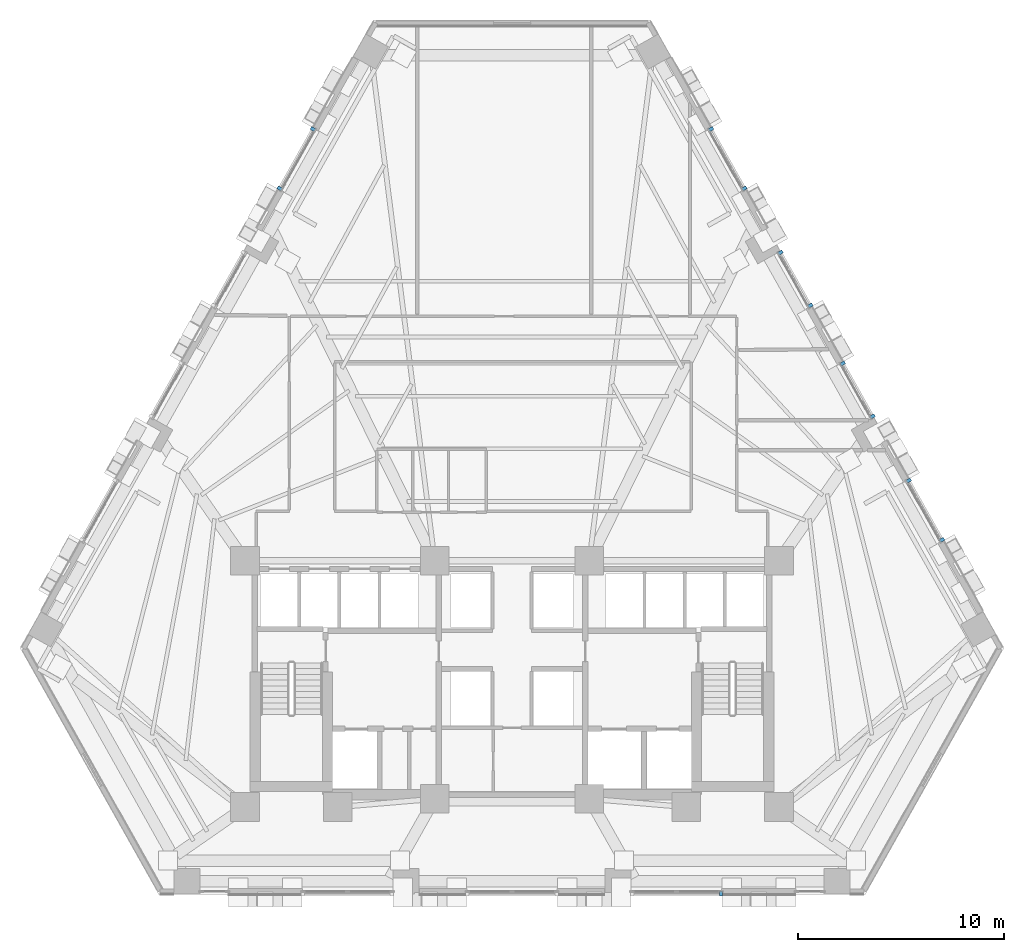
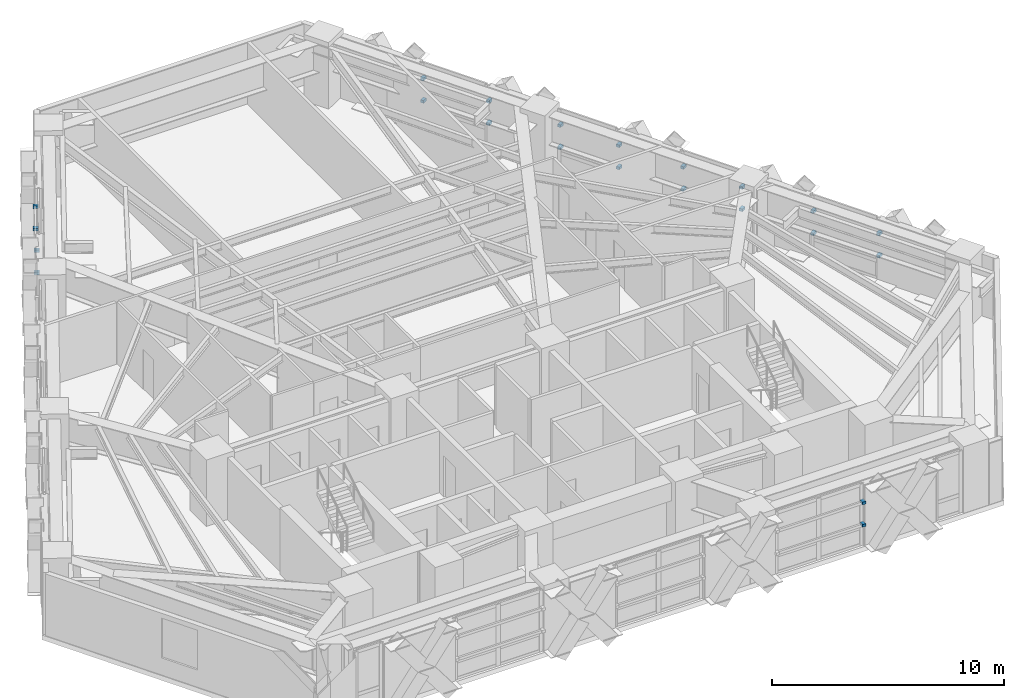
# One storey, part 10 of 14: 22 discrete accessories.
"""IFC4 building model written with IfcOpenShell, lengths in metres."""

from ifc_helpers import new_model, si_unit, direction, frame, origin, origin_2d, place, context, subcontext, project, spatial, rectangle, extrude, material, type_object, element, save


model = new_model("IFC4")

# Units and contexts
model_context = context("Model", 3, precision=1e-05, world=origin(), true_north=direction((0.0, 1.0)))
body_context = subcontext(model_context, "Body", "Model", "MODEL_VIEW")
ifc_project = project(units=[si_unit("LENGTHUNIT", "METRE"), si_unit("AREAUNIT", "SQUARE_METRE"), si_unit("VOLUMEUNIT", "CUBIC_METRE"), si_unit("PLANEANGLEUNIT", "RADIAN"), si_unit("MASSUNIT", "GRAM", prefix="KILO")], contexts=[model_context])

# Site, building, storey
site_placement = place(None, origin())
site = spatial("IfcSite", under=ifc_project, at=site_placement, CompositionType="ELEMENT")
building_placement = place(site_placement, origin())
building = spatial("IfcBuilding", under=site, at=building_placement, Name="Quenlor Broadcast Tower", CompositionType="ELEMENT")
storey_placement = place(building_placement, frame((0.0, 0.0, 73.10009765625)))
storey = spatial("IfcBuildingStorey", under=building, at=storey_placement, Name="L19", CompositionType="ELEMENT", Elevation=73.10009765625)

# Discrete accessories
ifc_material = material(Name="Aluminium 6063-T6", Category="aluminium")
discrete_accessory_type = type_object("IfcDiscreteAccessoryType", Name="Stainless Mullion Baguette Support Bracket", PredefinedType="BRACKET", material=ifc_material)
for number, where, z_axis, x_axis, name in (
    (1, (10.134765625, -20.949951171875, 1.10009765625), (0.0, 0.0, 1.0), (-1.0, 0.0, 0.0), "L19 Baguette Mullion Bracket 1.1"),
    (2, (10.134765625, -20.949951171875, 2.27001953125), (0.0, 0.0, 1.0), (-1.0, 0.0, 0.0), "L19 Baguette Mullion Bracket 2.1"),
    (3, (9.652099609375, 16.138916015625, 1.10009765625), (0.0, 0.0, 1.0), (0.490243691999, -0.871585407436, 0.0), "L19 Baguette Mullion Bracket 1.1"),
    (4, (11.2705078125, 13.26171875, 1.10009765625), (0.0, 0.0, 1.0), (0.490243691999, -0.871585407436, 0.0), "L19 Baguette Mullion Bracket 1.2"),
    (5, (9.652099609375, 16.138916015625, 2.27001953125), (0.0, 0.0, 1.0), (0.490243691999, -0.871585407436, 0.0), "L19 Baguette Mullion Bracket 2.1"),
    (6, (11.2705078125, 13.26171875, 2.27001953125), (0.0, 0.0, 1.0), (0.490243691999, -0.871585407436, 0.0), "L19 Baguette Mullion Bracket 2.2"),
    (7, (19.242431640625, -0.91064453125, 1.10009765625), (0.0, 0.0, 1.0), (0.49025738277, -0.871577706599, 0.0), "L19 Baguette Mullion Bracket 1.1"),
    (8, (20.860595703125, -3.78759765625, 1.10009765625), (0.0, 0.0, 1.0), (0.49025738277, -0.871577706599, 0.0), "L19 Baguette Mullion Bracket 1.2"),
    (9, (19.242431640625, -0.91064453125, 2.27001953125), (0.0, 0.0, 1.0), (0.49025738277, -0.871577706599, 0.0), "L19 Baguette Mullion Bracket 2.1"),
    (10, (20.860595703125, -3.78759765625, 2.27001953125), (0.0, 0.0, 1.0), (0.49025738277, -0.871577706599, 0.0), "L19 Baguette Mullion Bracket 2.2"),
    (11, (13.021728515625, 10.148193359375, 1.10009765625), (0.0, 0.0, 1.0), (0.49027411577, -0.871568294172, 0.0), "L19 Baguette Mullion Bracket 1.1"),
    (12, (14.46728515625, 7.57861328125, 1.10009765625), (0.0, 0.0, 1.0), (0.49027411577, -0.871568294172, 0.0), "L19 Baguette Mullion Bracket 1.2"),
    (13, (13.021728515625, 10.148193359375, 2.27001953125), (0.0, 0.0, 1.0), (0.49027411577, -0.871568294172, 0.0), "L19 Baguette Mullion Bracket 2.1"),
    (14, (14.46728515625, 7.57861328125, 2.27001953125), (0.0, 0.0, 1.0), (0.49027411577, -0.871568294172, 0.0), "L19 Baguette Mullion Bracket 2.2"),
    (15, (16.045654296875, 4.7724609375, 1.10009765625), (0.0, 0.0, 1.0), (0.49027411577, -0.871568294172, 0.0), "L19 Baguette Mullion Bracket 1.1"),
    (16, (17.490966796875, 2.202880859375, 1.10009765625), (0.0, 0.0, 1.0), (0.49027411577, -0.871568294172, 0.0), "L19 Baguette Mullion Bracket 1.2"),
    (17, (16.045654296875, 4.7724609375, 2.27001953125), (0.0, 0.0, 1.0), (0.49027411577, -0.871568294172, 0.0), "L19 Baguette Mullion Bracket 2.1"),
    (18, (17.490966796875, 2.202880859375, 2.27001953125), (0.0, 0.0, 1.0), (0.49027411577, -0.871568294172, 0.0), "L19 Baguette Mullion Bracket 2.2"),
    (19, (-11.2705078125, 13.26171875, 1.10009765625), (0.0, 0.0, 1.0), (0.490243691999, 0.871585407436, 0.0), "L19 Baguette Mullion Bracket 1.1"),
    (20, (-9.652099609375, 16.138916015625, 1.10009765625), (0.0, 0.0, 1.0), (0.490243691999, 0.871585407436, 0.0), "L19 Baguette Mullion Bracket 1.2"),
    (21, (-11.2705078125, 13.26171875, 2.27001953125), (0.0, 0.0, 1.0), (0.490243691999, 0.871585407436, 0.0), "L19 Baguette Mullion Bracket 2.1"),
    (22, (-9.652099609375, 16.138916015625, 2.27001953125), (0.0, 0.0, 1.0), (0.490243691999, 0.871585407436, 0.0), "L19 Baguette Mullion Bracket 2.2"),
):
    element("IfcDiscreteAccessory", number, at=place(storey_placement, frame(where, z_axis=z_axis, x_axis=x_axis)), inside=storey, type_object=discrete_accessory_type, Name=name, PredefinedType="BRACKET", context=body_context, shape_type="SweptSolid", body=[
        extrude(rectangle(XDim=0.159912109375, YDim=0.239990234375, at=origin_2d()), origin(), (0.0, 0.0, 1.0), 0.139892578125),
    ])

save(model, "model.ifc")
